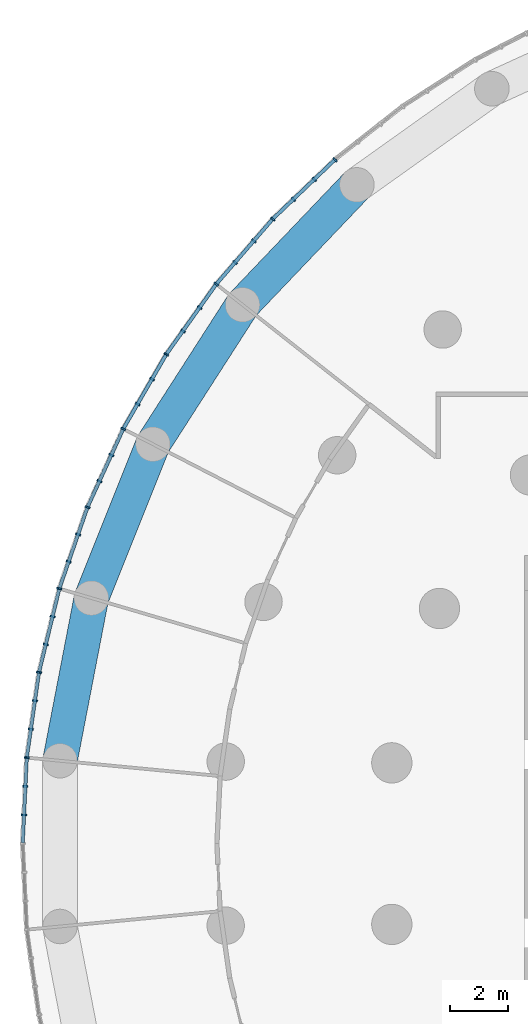
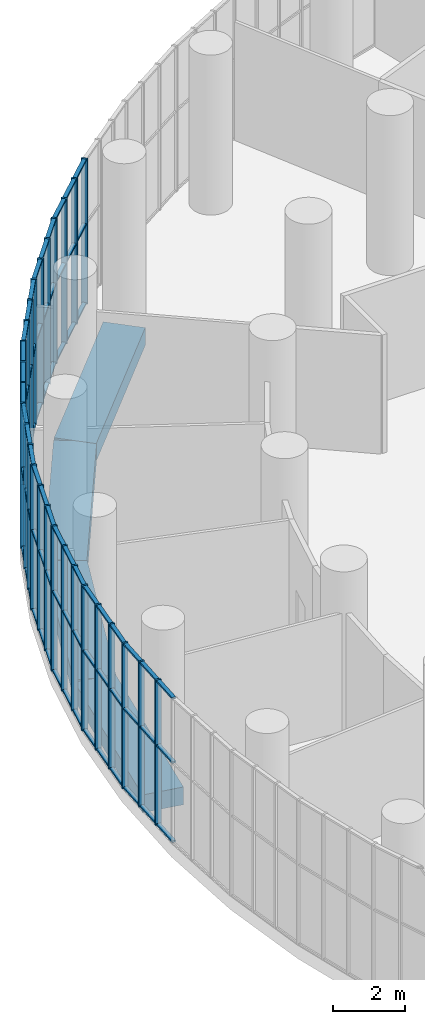
# One storey, part 7 of 27: 54 members, 4 beams, 9 elements without a shape of their own.
"""IFC4 building model written with IfcOpenShell, lengths in metres."""

from ifc_helpers import new_model, si_unit, direction, frame, origin, origin_2d, place, context, subcontext, project, spatial, rectangle, extrude, material, layer, layer_set, material_profile, profile_set, type_object, element, aggregate, save


model = new_model("IFC4")

# Units and contexts
model_context = context("Model", 3, precision=1e-05, world=origin(), true_north=direction((0.0, 1.0)))
body_context = subcontext(model_context, "Body", "Model", "MODEL_VIEW")
ifc_project = project(units=[si_unit("LENGTHUNIT", "METRE"), si_unit("AREAUNIT", "SQUARE_METRE"), si_unit("VOLUMEUNIT", "CUBIC_METRE"), si_unit("PLANEANGLEUNIT", "RADIAN"), si_unit("MASSUNIT", "GRAM", prefix="KILO")], contexts=[model_context])

# Site, building, storey
site_placement = place(None, origin())
site = spatial("IfcSite", under=ifc_project, at=site_placement, CompositionType="ELEMENT")
building_placement = place(site_placement, origin())
building = spatial("IfcBuilding", under=site, at=building_placement, Name="Tracery Tower", CompositionType="ELEMENT")
storey_placement = place(building_placement, frame((0.0, 0.0, 114.60009765625)))
storey = spatial("IfcBuildingStorey", under=building, at=storey_placement, Name="L29", CompositionType="ELEMENT", Elevation=114.60009765625)

# Beams
ifc_material_1 = material(Name="Concrete C60/75", Category="concrete")
ifc_material_profile_1 = material_profile(ifc_material_1, rectangle(XDim=1.199951171875, YDim=0.60009765625, at=origin_2d()), Name="RC 1200x600")
ifc_profile_set_1 = profile_set([ifc_material_profile_1], Name="Concrete C60/75")
beam_type = type_object("IfcBeamType", Name="Perimeter band beam 1200x600", PredefinedType="BEAM", material=ifc_profile_set_1)
beam_1_placement = place(storey_placement, frame((-19.82568359375, 22.8798828125, -0.75), z_axis=(-0.690087218267, -0.723726212863, 0.0), x_axis=(0.723726212863, -0.690087218267, 0.0)))
element("IfcBeam", 1, at=beam_1_placement, inside=storey, type_object=beam_type, Name="Perimeter beam 0.12 under L29", PredefinedType="BEAM", context=body_context, shape_type="SweptSolid", body=[
    extrude(rectangle(XDim=1.199951171875, YDim=0.60009765625, at=origin_2d()), origin(), (0.0, 0.0, 1.0), 5.75537109375),
])
beam_2_placement = place(storey_placement, frame((-23.79736328125, 18.714599609375, -0.75), z_axis=(-0.540643964602, -0.841251510274, 0.0), x_axis=(0.841251510274, -0.540643964602, 0.0)))
element("IfcBeam", 2, at=beam_2_placement, inside=storey, type_object=beam_type, Name="Perimeter beam 0.13 under L29", PredefinedType="BEAM", context=body_context, shape_type="SweptSolid", body=[
    extrude(rectangle(XDim=1.199951171875, YDim=0.60009765625, at=origin_2d()), origin(), (0.0, 0.0, 1.0), 5.755859375),
])
for number, where, z_axis, x_axis, name in (
    (3, (-26.9091796875, 13.87255859375, -0.75), (-0.371668572289, -0.928365484264, 0.0), (0.928365484264, -0.371668572289, 0.0), "Perimeter beam 0.14 under L29"),
    (4, (-29.04833984375, 8.529296875, -0.75), (-0.189226539295, -0.981933458451, 0.0), (0.981933458451, -0.189226539295, 0.0), "Perimeter beam 0.15 under L29"),
):
    element("IfcBeam", number, at=place(storey_placement, frame(where, z_axis=z_axis, x_axis=x_axis)), inside=storey, type_object=beam_type, Name=name, PredefinedType="BEAM", context=body_context, shape_type="SweptSolid", body=[
        extrude(rectangle(XDim=1.199951171875, YDim=0.60009765625, at=origin_2d()), origin(), (0.0, 0.0, 1.0), 5.755615234375),
    ])

# Curtain wall, members
ifc_material_2 = material(Name="Aluminium curtain wall with tinted glass", Category="aluminium")
ifc_layer = layer(ifc_material_2, 0.179931640625)
ifc_layer_set = layer_set([ifc_layer], Name="Sky lounge 1 tracery curtain wall")
curtain_wall_type = type_object("IfcCurtainWallType", Name="Sky lounge 1 tracery curtain wall", PredefinedType="NOTDEFINED", material=ifc_layer_set)
curtain_wall_1_placement = place(storey_placement, origin())
curtain_wall_1 = element("IfcCurtainWall", 5, at=curtain_wall_1_placement, inside=storey, type_object=curtain_wall_type, Name="Sky lounge 1 curtain wall run 25", PredefinedType="NOTDEFINED")
ifc_material_3 = material(Name="Aluminium, bronze anodised", Category="aluminium")
ifc_material_profile_2 = material_profile(ifc_material_3, rectangle(XDim=0.179931640625, YDim=0.06005859375, at=origin_2d()), Name="AL 60x180")
ifc_profile_set_2 = profile_set([ifc_material_profile_2], Name="Aluminium, bronze anodised")
member_type_1 = type_object("IfcMemberType", Name="Sky lounge 1 mullion 60 x 180", PredefinedType="MULLION", material=ifc_profile_set_2)
member_1_placement = place(storey_placement, frame((-20.585205078125, 23.756591796875, 0.0), z_axis=(0.0, 0.0, 1.0), x_axis=(0.690079011478, -0.723734038109, 0.0)))
member_1 = element("IfcMember", 6, at=member_1_placement, type_object=member_type_1, Name="Sky lounge 1 curtain wall run 25 mullion 1", PredefinedType="MULLION", context=body_context, shape_type="SweptSolid", body=[
    extrude(rectangle(XDim=0.179931640625, YDim=0.06005859375, at=origin_2d()), origin(), (0.0, 0.0, 1.0), 4.89990234375),
])
member_2_placement = place(storey_placement, frame((-21.306884765625, 23.068603515625, 0.0), z_axis=(0.0, 0.0, 1.0), x_axis=(0.690079011478, -0.723734038109, 0.0)))
member_2 = element("IfcMember", 7, at=member_2_placement, type_object=member_type_1, Name="Sky lounge 1 curtain wall run 25 mullion 2", PredefinedType="MULLION", context=body_context, shape_type="SweptSolid", body=[
    extrude(rectangle(XDim=0.179931640625, YDim=0.06005859375, at=origin_2d()), origin(), (0.0, 0.0, 1.0), 4.89990234375),
])
member_3_placement = place(storey_placement, frame((-22.028564453125, 22.38037109375, 0.0), z_axis=(0.0, 0.0, 1.0), x_axis=(0.690079011478, -0.723734038109, 0.0)))
member_3 = element("IfcMember", 8, at=member_3_placement, type_object=member_type_1, Name="Sky lounge 1 curtain wall run 25 mullion 3", PredefinedType="MULLION", context=body_context, shape_type="SweptSolid", body=[
    extrude(rectangle(XDim=0.179931640625, YDim=0.06005859375, at=origin_2d()), origin(), (0.0, 0.0, 1.0), 4.89990234375),
])

curtain_wall_2_placement = place(storey_placement, origin())
curtain_wall_2 = element("IfcCurtainWall", 9, at=curtain_wall_2_placement, inside=storey, type_object=curtain_wall_type, Name="Sky lounge 1 curtain wall run 26", PredefinedType="NOTDEFINED")
member_4_placement = place(storey_placement, frame((-22.750244140625, 21.6923828125, 0.0), z_axis=(0.0, 0.0, 1.0), x_axis=(0.755749574355, -0.654860733944, 0.0)))
member_4 = element("IfcMember", 10, at=member_4_placement, type_object=member_type_1, Name="Sky lounge 1 curtain wall run 26 mullion 1", PredefinedType="MULLION", context=body_context, shape_type="SweptSolid", body=[
    extrude(rectangle(XDim=0.179931640625, YDim=0.06005859375, at=origin_2d()), origin(), (0.0, 0.0, 1.0), 4.89990234375),
])
member_5_placement = place(storey_placement, frame((-23.4033203125, 20.938720703125, 0.0), z_axis=(0.0, 0.0, 1.0), x_axis=(0.755749574355, -0.654860733944, 0.0)))
member_5 = element("IfcMember", 11, at=member_5_placement, type_object=member_type_1, Name="Sky lounge 1 curtain wall run 26 mullion 2", PredefinedType="MULLION", context=body_context, shape_type="SweptSolid", body=[
    extrude(rectangle(XDim=0.179931640625, YDim=0.06005859375, at=origin_2d()), origin(), (0.0, 0.0, 1.0), 4.89990234375),
])
member_6_placement = place(storey_placement, frame((-24.05615234375, 20.18505859375, 0.0), z_axis=(0.0, 0.0, 1.0), x_axis=(0.755749574355, -0.654860733944, 0.0)))
member_6 = element("IfcMember", 12, at=member_6_placement, type_object=member_type_1, Name="Sky lounge 1 curtain wall run 26 mullion 3", PredefinedType="MULLION", context=body_context, shape_type="SweptSolid", body=[
    extrude(rectangle(XDim=0.179931640625, YDim=0.06005859375, at=origin_2d()), origin(), (0.0, 0.0, 1.0), 4.89990234375),
])

curtain_wall_3_placement = place(storey_placement, origin())
curtain_wall_3 = element("IfcCurtainWall", 13, at=curtain_wall_3_placement, inside=storey, type_object=curtain_wall_type, Name="Sky lounge 1 curtain wall run 27", PredefinedType="NOTDEFINED")
member_7_placement = place(storey_placement, frame((-24.709228515625, 19.431396484375, 0.0), z_axis=(0.0, 0.0, 1.0), x_axis=(0.814575952046, -0.580056909578, 0.0)))
member_7 = element("IfcMember", 14, at=member_7_placement, type_object=member_type_1, Name="Sky lounge 1 curtain wall run 27 mullion 1", PredefinedType="MULLION", context=body_context, shape_type="SweptSolid", body=[
    extrude(rectangle(XDim=0.179931640625, YDim=0.06005859375, at=origin_2d()), origin(), (0.0, 0.0, 1.0), 4.89990234375),
])
member_8_placement = place(storey_placement, frame((-25.28759765625, 18.619384765625, 0.0), z_axis=(0.0, 0.0, 1.0), x_axis=(0.814575952046, -0.580056909578, 0.0)))
member_8 = element("IfcMember", 15, at=member_8_placement, type_object=member_type_1, Name="Sky lounge 1 curtain wall run 27 mullion 2", PredefinedType="MULLION", context=body_context, shape_type="SweptSolid", body=[
    extrude(rectangle(XDim=0.179931640625, YDim=0.06005859375, at=origin_2d()), origin(), (0.0, 0.0, 1.0), 4.89990234375),
])
member_9_placement = place(storey_placement, frame((-25.865966796875, 17.80712890625, 0.0), z_axis=(0.0, 0.0, 1.0), x_axis=(0.814575952046, -0.580056909578, 0.0)))
member_9 = element("IfcMember", 16, at=member_9_placement, type_object=member_type_1, Name="Sky lounge 1 curtain wall run 27 mullion 3", PredefinedType="MULLION", context=body_context, shape_type="SweptSolid", body=[
    extrude(rectangle(XDim=0.179931640625, YDim=0.06005859375, at=origin_2d()), origin(), (0.0, 0.0, 1.0), 4.89990234375),
])

curtain_wall_4_placement = place(storey_placement, origin())
curtain_wall_4 = element("IfcCurtainWall", 17, at=curtain_wall_4_placement, inside=storey, type_object=curtain_wall_type, Name="Sky lounge 1 curtain wall run 28", PredefinedType="NOTDEFINED")
member_10_placement = place(storey_placement, frame((-26.4443359375, 16.994873046875, 0.0), z_axis=(0.0, 0.0, 1.0), x_axis=(0.866025403784, -0.5, 0.0)))
member_10 = element("IfcMember", 18, at=member_10_placement, type_object=member_type_1, Name="Sky lounge 1 curtain wall run 28 mullion 1", PredefinedType="MULLION", context=body_context, shape_type="SweptSolid", body=[
    extrude(rectangle(XDim=0.179931640625, YDim=0.06005859375, at=origin_2d()), origin(), (0.0, 0.0, 1.0), 4.89990234375),
])
member_11_placement = place(storey_placement, frame((-26.94287109375, 16.131103515625, 0.0), z_axis=(0.0, 0.0, 1.0), x_axis=(0.866025403784, -0.5, 0.0)))
member_11 = element("IfcMember", 19, at=member_11_placement, type_object=member_type_1, Name="Sky lounge 1 curtain wall run 28 mullion 2", PredefinedType="MULLION", context=body_context, shape_type="SweptSolid", body=[
    extrude(rectangle(XDim=0.179931640625, YDim=0.06005859375, at=origin_2d()), origin(), (0.0, 0.0, 1.0), 4.89990234375),
])
member_12_placement = place(storey_placement, frame((-27.44140625, 15.267578125, 0.0), z_axis=(0.0, 0.0, 1.0), x_axis=(0.866025403784, -0.5, 0.0)))
member_12 = element("IfcMember", 20, at=member_12_placement, type_object=member_type_1, Name="Sky lounge 1 curtain wall run 28 mullion 3", PredefinedType="MULLION", context=body_context, shape_type="SweptSolid", body=[
    extrude(rectangle(XDim=0.179931640625, YDim=0.06005859375, at=origin_2d()), origin(), (0.0, 0.0, 1.0), 4.89990234375),
])

curtain_wall_5_placement = place(storey_placement, origin())
curtain_wall_5 = element("IfcCurtainWall", 21, at=curtain_wall_5_placement, inside=storey, type_object=curtain_wall_type, Name="Sky lounge 1 curtain wall run 29", PredefinedType="NOTDEFINED")
member_13_placement = place(storey_placement, frame((-27.940185546875, 14.404052734375, 0.0), z_axis=(0.0, 0.0, 1.0), x_axis=(0.909631995358, -0.415415012995, 0.0)))
member_13 = element("IfcMember", 22, at=member_13_placement, type_object=member_type_1, Name="Sky lounge 1 curtain wall run 29 mullion 1", PredefinedType="MULLION", context=body_context, shape_type="SweptSolid", body=[
    extrude(rectangle(XDim=0.179931640625, YDim=0.06005859375, at=origin_2d()), origin(), (0.0, 0.0, 1.0), 4.89990234375),
])
member_14_placement = place(storey_placement, frame((-28.354248046875, 13.4970703125, 0.0), z_axis=(0.0, 0.0, 1.0), x_axis=(0.909631995358, -0.415415012995, 0.0)))
member_14 = element("IfcMember", 23, at=member_14_placement, type_object=member_type_1, Name="Sky lounge 1 curtain wall run 29 mullion 2", PredefinedType="MULLION", context=body_context, shape_type="SweptSolid", body=[
    extrude(rectangle(XDim=0.179931640625, YDim=0.06005859375, at=origin_2d()), origin(), (0.0, 0.0, 1.0), 4.89990234375),
])
member_15_placement = place(storey_placement, frame((-28.7685546875, 12.590087890625, 0.0), z_axis=(0.0, 0.0, 1.0), x_axis=(0.909631995358, -0.415415012995, 0.0)))
member_15 = element("IfcMember", 24, at=member_15_placement, type_object=member_type_1, Name="Sky lounge 1 curtain wall run 29 mullion 3", PredefinedType="MULLION", context=body_context, shape_type="SweptSolid", body=[
    extrude(rectangle(XDim=0.179931640625, YDim=0.06005859375, at=origin_2d()), origin(), (0.0, 0.0, 1.0), 4.89990234375),
])

curtain_wall_6_placement = place(storey_placement, origin())
curtain_wall_6 = element("IfcCurtainWall", 25, at=curtain_wall_6_placement, inside=storey, type_object=curtain_wall_type, Name="Sky lounge 1 curtain wall run 30", PredefinedType="NOTDEFINED")
member_16_placement = place(storey_placement, frame((-29.182861328125, 11.68310546875, 0.0), z_axis=(0.0, 0.0, 1.0), x_axis=(0.945000818714, -0.327067963319, 0.0)))
member_16 = element("IfcMember", 26, at=member_16_placement, type_object=member_type_1, Name="Sky lounge 1 curtain wall run 30 mullion 1", PredefinedType="MULLION", context=body_context, shape_type="SweptSolid", body=[
    extrude(rectangle(XDim=0.179931640625, YDim=0.06005859375, at=origin_2d()), origin(), (0.0, 0.0, 1.0), 4.89990234375),
])
member_17_placement = place(storey_placement, frame((-29.509033203125, 10.74072265625, 0.0), z_axis=(0.0, 0.0, 1.0), x_axis=(0.945000818714, -0.327067963319, 0.0)))
member_17 = element("IfcMember", 27, at=member_17_placement, type_object=member_type_1, Name="Sky lounge 1 curtain wall run 30 mullion 2", PredefinedType="MULLION", context=body_context, shape_type="SweptSolid", body=[
    extrude(rectangle(XDim=0.179931640625, YDim=0.06005859375, at=origin_2d()), origin(), (0.0, 0.0, 1.0), 4.89990234375),
])
member_18_placement = place(storey_placement, frame((-29.8349609375, 9.79833984375, 0.0), z_axis=(0.0, 0.0, 1.0), x_axis=(0.945000818714, -0.327067963319, 0.0)))
member_18 = element("IfcMember", 28, at=member_18_placement, type_object=member_type_1, Name="Sky lounge 1 curtain wall run 30 mullion 3", PredefinedType="MULLION", context=body_context, shape_type="SweptSolid", body=[
    extrude(rectangle(XDim=0.179931640625, YDim=0.06005859375, at=origin_2d()), origin(), (0.0, 0.0, 1.0), 4.89990234375),
])

curtain_wall_7_placement = place(storey_placement, origin())
curtain_wall_7 = element("IfcCurtainWall", 29, at=curtain_wall_7_placement, inside=storey, type_object=curtain_wall_type, Name="Sky lounge 1 curtain wall run 31", PredefinedType="NOTDEFINED")
member_19_placement = place(storey_placement, frame((-30.1611328125, 8.856201171875, 0.0), z_axis=(0.0, 0.0, 1.0), x_axis=(0.971811568325, -0.235758935503, 0.0)))
member_19 = element("IfcMember", 30, at=member_19_placement, type_object=member_type_1, Name="Sky lounge 1 curtain wall run 31 mullion 1", PredefinedType="MULLION", context=body_context, shape_type="SweptSolid", body=[
    extrude(rectangle(XDim=0.179931640625, YDim=0.06005859375, at=origin_2d()), origin(), (0.0, 0.0, 1.0), 4.89990234375),
])
member_20_placement = place(storey_placement, frame((-30.396240234375, 7.88720703125, 0.0), z_axis=(0.0, 0.0, 1.0), x_axis=(0.971811568325, -0.235758935503, 0.0)))
member_20 = element("IfcMember", 31, at=member_20_placement, type_object=member_type_1, Name="Sky lounge 1 curtain wall run 31 mullion 2", PredefinedType="MULLION", context=body_context, shape_type="SweptSolid", body=[
    extrude(rectangle(XDim=0.179931640625, YDim=0.06005859375, at=origin_2d()), origin(), (0.0, 0.0, 1.0), 4.89990234375),
])
member_21_placement = place(storey_placement, frame((-30.63134765625, 6.91796875, 0.0), z_axis=(0.0, 0.0, 1.0), x_axis=(0.971811568325, -0.235758935503, 0.0)))
member_21 = element("IfcMember", 32, at=member_21_placement, type_object=member_type_1, Name="Sky lounge 1 curtain wall run 31 mullion 3", PredefinedType="MULLION", context=body_context, shape_type="SweptSolid", body=[
    extrude(rectangle(XDim=0.179931640625, YDim=0.06005859375, at=origin_2d()), origin(), (0.0, 0.0, 1.0), 4.89990234375),
])

curtain_wall_8_placement = place(storey_placement, origin())
curtain_wall_8 = element("IfcCurtainWall", 33, at=curtain_wall_8_placement, inside=storey, type_object=curtain_wall_type, Name="Sky lounge 1 curtain wall run 32", PredefinedType="NOTDEFINED")
member_22_placement = place(storey_placement, frame((-30.866455078125, 5.948974609375, 0.0), z_axis=(0.0, 0.0, 1.0), x_axis=(0.98982144188, -0.142314838276, 0.0)))
member_22 = element("IfcMember", 34, at=member_22_placement, type_object=member_type_1, Name="Sky lounge 1 curtain wall run 32 mullion 1", PredefinedType="MULLION", context=body_context, shape_type="SweptSolid", body=[
    extrude(rectangle(XDim=0.179931640625, YDim=0.06005859375, at=origin_2d()), origin(), (0.0, 0.0, 1.0), 4.89990234375),
])
member_23_placement = place(storey_placement, frame((-31.00830078125, 4.9619140625, 0.0), z_axis=(0.0, 0.0, 1.0), x_axis=(0.98982144188, -0.142314838276, 0.0)))
member_23 = element("IfcMember", 35, at=member_23_placement, type_object=member_type_1, Name="Sky lounge 1 curtain wall run 32 mullion 2", PredefinedType="MULLION", context=body_context, shape_type="SweptSolid", body=[
    extrude(rectangle(XDim=0.179931640625, YDim=0.06005859375, at=origin_2d()), origin(), (0.0, 0.0, 1.0), 4.89990234375),
])
member_24_placement = place(storey_placement, frame((-31.150146484375, 3.97509765625, 0.0), z_axis=(0.0, 0.0, 1.0), x_axis=(0.98982144188, -0.142314838276, 0.0)))
member_24 = element("IfcMember", 36, at=member_24_placement, type_object=member_type_1, Name="Sky lounge 1 curtain wall run 32 mullion 3", PredefinedType="MULLION", context=body_context, shape_type="SweptSolid", body=[
    extrude(rectangle(XDim=0.179931640625, YDim=0.06005859375, at=origin_2d()), origin(), (0.0, 0.0, 1.0), 4.89990234375),
])

curtain_wall_9_placement = place(storey_placement, origin())
curtain_wall_9 = element("IfcCurtainWall", 37, at=curtain_wall_9_placement, inside=storey, type_object=curtain_wall_type, Name="Sky lounge 1 curtain wall run 33", PredefinedType="NOTDEFINED")
member_25_placement = place(storey_placement, frame((-31.292236328125, 2.988037109375, 0.0), z_axis=(0.0, 0.0, 1.0), x_axis=(0.998867339183, -0.047581915819, 0.0)))
member_25 = element("IfcMember", 38, at=member_25_placement, type_object=member_type_1, Name="Sky lounge 1 curtain wall run 33 mullion 1", PredefinedType="MULLION", context=body_context, shape_type="SweptSolid", body=[
    extrude(rectangle(XDim=0.179931640625, YDim=0.06005859375, at=origin_2d()), origin(), (0.0, 0.0, 1.0), 4.89990234375),
])
member_26_placement = place(storey_placement, frame((-31.339599609375, 1.991943359375, 0.0), z_axis=(0.0, 0.0, 1.0), x_axis=(0.998867339183, -0.047581915819, 0.0)))
member_26 = element("IfcMember", 39, at=member_26_placement, type_object=member_type_1, Name="Sky lounge 1 curtain wall run 33 mullion 2", PredefinedType="MULLION", context=body_context, shape_type="SweptSolid", body=[
    extrude(rectangle(XDim=0.179931640625, YDim=0.06005859375, at=origin_2d()), origin(), (0.0, 0.0, 1.0), 4.89990234375),
])
member_27_placement = place(storey_placement, frame((-31.386962890625, 0.99609375, 0.0), z_axis=(0.0, 0.0, 1.0), x_axis=(0.998867339183, -0.047581915819, 0.0)))
member_27 = element("IfcMember", 40, at=member_27_placement, type_object=member_type_1, Name="Sky lounge 1 curtain wall run 33 mullion 3", PredefinedType="MULLION", context=body_context, shape_type="SweptSolid", body=[
    extrude(rectangle(XDim=0.179931640625, YDim=0.06005859375, at=origin_2d()), origin(), (0.0, 0.0, 1.0), 4.89990234375),
])

# Member
ifc_material_4 = material(Name="Aluminium, bronze anodised", Category="aluminium")
ifc_material_profile_3 = material_profile(ifc_material_4, rectangle(XDim=0.1201171875, YDim=0.06005859375, at=origin_2d()), Name="AL 60x120")
ifc_profile_set_3 = profile_set([ifc_material_profile_3], Name="Aluminium, bronze anodised")
member_type_2 = type_object("IfcMemberType", Name="Sky lounge 1 transom 60 x 120", PredefinedType="USERDEFINED", material=ifc_profile_set_3)
member_28_placement = place(storey_placement, frame((-20.60693359375, 23.73583984375, 0.02978515625), z_axis=(-0.723729806438, -0.690083449499, 0.0), x_axis=(0.690083449499, -0.723729806438, 0.0)))
member_28 = element("IfcMember", 41, at=member_28_placement, type_object=member_type_2, Name="Sky lounge 1 curtain wall run 25 transom 1", ObjectType="TRANSOM", PredefinedType="USERDEFINED", context=body_context, shape_type="SweptSolid", body=[
    extrude(rectangle(XDim=0.1201171875, YDim=0.06005859375, at=origin_2d()), origin(), (0.0, 0.0, 1.0), 2.931396484375),
])

member_29_placement = place(storey_placement, frame((-20.60693359375, 23.73583984375, 2.699951171875), z_axis=(-0.723729806438, -0.690083449499, 0.0), x_axis=(0.690083449499, -0.723729806438, 0.0)))
member_29 = element("IfcMember", 42, at=member_29_placement, type_object=member_type_2, Name="Sky lounge 1 curtain wall run 25 transom 2", ObjectType="TRANSOM", PredefinedType="USERDEFINED", context=body_context, shape_type="SweptSolid", body=[
    extrude(rectangle(XDim=0.1201171875, YDim=0.06005859375, at=origin_2d()), origin(), (0.0, 0.0, 1.0), 2.931396484375),
])

member_30_placement = place(storey_placement, frame((-20.60693359375, 23.73583984375, 4.869873046875), z_axis=(-0.723729806438, -0.690083449499, 0.0), x_axis=(0.690083449499, -0.723729806438, 0.0)))
member_30 = element("IfcMember", 43, at=member_30_placement, type_object=member_type_2, Name="Sky lounge 1 curtain wall run 25 transom 3", ObjectType="TRANSOM", PredefinedType="USERDEFINED", context=body_context, shape_type="SweptSolid", body=[
    extrude(rectangle(XDim=0.1201171875, YDim=0.06005859375, at=origin_2d()), origin(), (0.0, 0.0, 1.0), 2.931396484375),
])

aggregate(curtain_wall_1, [member_1, member_2, member_3, member_28, member_29, member_30])

member_31_placement = place(storey_placement, frame((-22.769775390625, 21.669677734375, 0.02978515625), z_axis=(-0.654835415785, -0.755771511923, 0.0), x_axis=(0.755771511923, -0.654835415785, 0.0)))
member_31 = element("IfcMember", 44, at=member_31_placement, type_object=member_type_2, Name="Sky lounge 1 curtain wall run 26 transom 1", ObjectType="TRANSOM", PredefinedType="USERDEFINED", context=body_context, shape_type="SweptSolid", body=[
    extrude(rectangle(XDim=0.1201171875, YDim=0.06005859375, at=origin_2d()), origin(), (0.0, 0.0, 1.0), 2.931640625),
])

member_32_placement = place(storey_placement, frame((-22.769775390625, 21.669677734375, 2.699951171875), z_axis=(-0.654835415785, -0.755771511923, 0.0), x_axis=(0.755771511923, -0.654835415785, 0.0)))
member_32 = element("IfcMember", 45, at=member_32_placement, type_object=member_type_2, Name="Sky lounge 1 curtain wall run 26 transom 2", ObjectType="TRANSOM", PredefinedType="USERDEFINED", context=body_context, shape_type="SweptSolid", body=[
    extrude(rectangle(XDim=0.1201171875, YDim=0.06005859375, at=origin_2d()), origin(), (0.0, 0.0, 1.0), 2.931640625),
])

member_33_placement = place(storey_placement, frame((-22.769775390625, 21.669677734375, 4.869873046875), z_axis=(-0.654835415785, -0.755771511923, 0.0), x_axis=(0.755771511923, -0.654835415785, 0.0)))
member_33 = element("IfcMember", 46, at=member_33_placement, type_object=member_type_2, Name="Sky lounge 1 curtain wall run 26 transom 3", ObjectType="TRANSOM", PredefinedType="USERDEFINED", context=body_context, shape_type="SweptSolid", body=[
    extrude(rectangle(XDim=0.1201171875, YDim=0.06005859375, at=origin_2d()), origin(), (0.0, 0.0, 1.0), 2.931640625),
])

aggregate(curtain_wall_2, [member_4, member_5, member_6, member_31, member_32, member_33])

member_34_placement = place(storey_placement, frame((-24.7265625, 19.406982421875, 0.02978515625), z_axis=(-0.58009523592, -0.814548658622, 0.0), x_axis=(0.814548658622, -0.58009523592, 0.0)))
member_34 = element("IfcMember", 47, at=member_34_placement, type_object=member_type_2, Name="Sky lounge 1 curtain wall run 27 transom 1", ObjectType="TRANSOM", PredefinedType="USERDEFINED", context=body_context, shape_type="SweptSolid", body=[
    extrude(rectangle(XDim=0.1201171875, YDim=0.06005859375, at=origin_2d()), origin(), (0.0, 0.0, 1.0), 2.931396484375),
])

member_35_placement = place(storey_placement, frame((-24.7265625, 19.406982421875, 2.699951171875), z_axis=(-0.58009523592, -0.814548658622, 0.0), x_axis=(0.814548658622, -0.58009523592, 0.0)))
member_35 = element("IfcMember", 48, at=member_35_placement, type_object=member_type_2, Name="Sky lounge 1 curtain wall run 27 transom 2", ObjectType="TRANSOM", PredefinedType="USERDEFINED", context=body_context, shape_type="SweptSolid", body=[
    extrude(rectangle(XDim=0.1201171875, YDim=0.06005859375, at=origin_2d()), origin(), (0.0, 0.0, 1.0), 2.931396484375),
])

member_36_placement = place(storey_placement, frame((-24.7265625, 19.406982421875, 4.869873046875), z_axis=(-0.58009523592, -0.814548658622, 0.0), x_axis=(0.814548658622, -0.58009523592, 0.0)))
member_36 = element("IfcMember", 49, at=member_36_placement, type_object=member_type_2, Name="Sky lounge 1 curtain wall run 27 transom 3", ObjectType="TRANSOM", PredefinedType="USERDEFINED", context=body_context, shape_type="SweptSolid", body=[
    extrude(rectangle(XDim=0.1201171875, YDim=0.06005859375, at=origin_2d()), origin(), (0.0, 0.0, 1.0), 2.931396484375),
])

aggregate(curtain_wall_3, [member_7, member_8, member_9, member_34, member_35, member_36])

member_37_placement = place(storey_placement, frame((-26.45947265625, 16.96875, 0.02978515625), z_axis=(-0.499982003349, -0.866035793907, 0.0), x_axis=(0.866035793907, -0.499982003349, 0.0)))
member_37 = element("IfcMember", 50, at=member_37_placement, type_object=member_type_2, Name="Sky lounge 1 curtain wall run 28 transom 1", ObjectType="TRANSOM", PredefinedType="USERDEFINED", context=body_context, shape_type="SweptSolid", body=[
    extrude(rectangle(XDim=0.1201171875, YDim=0.06005859375, at=origin_2d()), origin(), (0.0, 0.0, 1.0), 2.93115234375),
])

member_38_placement = place(storey_placement, frame((-26.45947265625, 16.96875, 2.699951171875), z_axis=(-0.499982003349, -0.866035793907, 0.0), x_axis=(0.866035793907, -0.499982003349, 0.0)))
member_38 = element("IfcMember", 51, at=member_38_placement, type_object=member_type_2, Name="Sky lounge 1 curtain wall run 28 transom 2", ObjectType="TRANSOM", PredefinedType="USERDEFINED", context=body_context, shape_type="SweptSolid", body=[
    extrude(rectangle(XDim=0.1201171875, YDim=0.06005859375, at=origin_2d()), origin(), (0.0, 0.0, 1.0), 2.93115234375),
])

member_39_placement = place(storey_placement, frame((-26.45947265625, 16.96875, 4.869873046875), z_axis=(-0.499982003349, -0.866035793907, 0.0), x_axis=(0.866035793907, -0.499982003349, 0.0)))
member_39 = element("IfcMember", 52, at=member_39_placement, type_object=member_type_2, Name="Sky lounge 1 curtain wall run 28 transom 3", ObjectType="TRANSOM", PredefinedType="USERDEFINED", context=body_context, shape_type="SweptSolid", body=[
    extrude(rectangle(XDim=0.1201171875, YDim=0.06005859375, at=origin_2d()), origin(), (0.0, 0.0, 1.0), 2.93115234375),
])

aggregate(curtain_wall_4, [member_10, member_11, member_12, member_37, member_38, member_39])

member_40_placement = place(storey_placement, frame((-27.95263671875, 14.376953125, 0.02978515625), z_axis=(-0.41538972721, -0.909643542564, 0.0), x_axis=(0.909643542564, -0.41538972721, 0.0)))
member_40 = element("IfcMember", 53, at=member_40_placement, type_object=member_type_2, Name="Sky lounge 1 curtain wall run 29 transom 1", ObjectType="TRANSOM", PredefinedType="USERDEFINED", context=body_context, shape_type="SweptSolid", body=[
    extrude(rectangle(XDim=0.1201171875, YDim=0.06005859375, at=origin_2d()), origin(), (0.0, 0.0, 1.0), 2.931640625),
])

member_41_placement = place(storey_placement, frame((-27.95263671875, 14.376953125, 2.699951171875), z_axis=(-0.41538972721, -0.909643542564, 0.0), x_axis=(0.909643542564, -0.41538972721, 0.0)))
member_41 = element("IfcMember", 54, at=member_41_placement, type_object=member_type_2, Name="Sky lounge 1 curtain wall run 29 transom 2", ObjectType="TRANSOM", PredefinedType="USERDEFINED", context=body_context, shape_type="SweptSolid", body=[
    extrude(rectangle(XDim=0.1201171875, YDim=0.06005859375, at=origin_2d()), origin(), (0.0, 0.0, 1.0), 2.931640625),
])

member_42_placement = place(storey_placement, frame((-27.95263671875, 14.376953125, 4.869873046875), z_axis=(-0.41538972721, -0.909643542564, 0.0), x_axis=(0.909643542564, -0.41538972721, 0.0)))
member_42 = element("IfcMember", 55, at=member_42_placement, type_object=member_type_2, Name="Sky lounge 1 curtain wall run 29 transom 3", ObjectType="TRANSOM", PredefinedType="USERDEFINED", context=body_context, shape_type="SweptSolid", body=[
    extrude(rectangle(XDim=0.1201171875, YDim=0.06005859375, at=origin_2d()), origin(), (0.0, 0.0, 1.0), 2.931640625),
])

aggregate(curtain_wall_5, [member_13, member_14, member_15, member_40, member_41, member_42])

member_43_placement = place(storey_placement, frame((-29.192626953125, 11.65478515625, 0.02978515625), z_axis=(-0.327050494185, -0.945006864659, 0.0), x_axis=(0.945006864659, -0.327050494185, 0.0)))
member_43 = element("IfcMember", 56, at=member_43_placement, type_object=member_type_2, Name="Sky lounge 1 curtain wall run 30 transom 1", ObjectType="TRANSOM", PredefinedType="USERDEFINED", context=body_context, shape_type="SweptSolid", body=[
    extrude(rectangle(XDim=0.1201171875, YDim=0.06005859375, at=origin_2d()), origin(), (0.0, 0.0, 1.0), 2.931396484375),
])

member_44_placement = place(storey_placement, frame((-29.192626953125, 11.65478515625, 2.699951171875), z_axis=(-0.327050494185, -0.945006864659, 0.0), x_axis=(0.945006864659, -0.327050494185, 0.0)))
member_44 = element("IfcMember", 57, at=member_44_placement, type_object=member_type_2, Name="Sky lounge 1 curtain wall run 30 transom 2", ObjectType="TRANSOM", PredefinedType="USERDEFINED", context=body_context, shape_type="SweptSolid", body=[
    extrude(rectangle(XDim=0.1201171875, YDim=0.06005859375, at=origin_2d()), origin(), (0.0, 0.0, 1.0), 2.931396484375),
])

member_45_placement = place(storey_placement, frame((-29.192626953125, 11.65478515625, 4.869873046875), z_axis=(-0.327050494185, -0.945006864659, 0.0), x_axis=(0.945006864659, -0.327050494185, 0.0)))
member_45 = element("IfcMember", 58, at=member_45_placement, type_object=member_type_2, Name="Sky lounge 1 curtain wall run 30 transom 3", ObjectType="TRANSOM", PredefinedType="USERDEFINED", context=body_context, shape_type="SweptSolid", body=[
    extrude(rectangle(XDim=0.1201171875, YDim=0.06005859375, at=origin_2d()), origin(), (0.0, 0.0, 1.0), 2.931396484375),
])

aggregate(curtain_wall_6, [member_16, member_17, member_18, member_43, member_44, member_45])

member_46_placement = place(storey_placement, frame((-30.168212890625, 8.826904296875, 0.02978515625), z_axis=(-0.235788340216, -0.971804434348, 0.0), x_axis=(0.971804434348, -0.235788340216, 0.0)))
member_46 = element("IfcMember", 59, at=member_46_placement, type_object=member_type_2, Name="Sky lounge 1 curtain wall run 31 transom 1", ObjectType="TRANSOM", PredefinedType="USERDEFINED", context=body_context, shape_type="SweptSolid", body=[
    extrude(rectangle(XDim=0.1201171875, YDim=0.06005859375, at=origin_2d()), origin(), (0.0, 0.0, 1.0), 2.931396484375),
])

member_47_placement = place(storey_placement, frame((-30.168212890625, 8.826904296875, 2.699951171875), z_axis=(-0.235788340216, -0.971804434348, 0.0), x_axis=(0.971804434348, -0.235788340216, 0.0)))
member_47 = element("IfcMember", 60, at=member_47_placement, type_object=member_type_2, Name="Sky lounge 1 curtain wall run 31 transom 2", ObjectType="TRANSOM", PredefinedType="USERDEFINED", context=body_context, shape_type="SweptSolid", body=[
    extrude(rectangle(XDim=0.1201171875, YDim=0.06005859375, at=origin_2d()), origin(), (0.0, 0.0, 1.0), 2.931396484375),
])

member_48_placement = place(storey_placement, frame((-30.168212890625, 8.826904296875, 4.869873046875), z_axis=(-0.235788340216, -0.971804434348, 0.0), x_axis=(0.971804434348, -0.235788340216, 0.0)))
member_48 = element("IfcMember", 61, at=member_48_placement, type_object=member_type_2, Name="Sky lounge 1 curtain wall run 31 transom 3", ObjectType="TRANSOM", PredefinedType="USERDEFINED", context=body_context, shape_type="SweptSolid", body=[
    extrude(rectangle(XDim=0.1201171875, YDim=0.06005859375, at=origin_2d()), origin(), (0.0, 0.0, 1.0), 2.931396484375),
])

aggregate(curtain_wall_7, [member_19, member_20, member_21, member_46, member_47, member_48])

member_49_placement = place(storey_placement, frame((-30.87060546875, 5.91943359375, 0.02978515625), z_axis=(-0.142330747561, -0.98981915434, 0.0), x_axis=(0.98981915434, -0.142330747561, 0.0)))
member_49 = element("IfcMember", 62, at=member_49_placement, type_object=member_type_2, Name="Sky lounge 1 curtain wall run 32 transom 1", ObjectType="TRANSOM", PredefinedType="USERDEFINED", context=body_context, shape_type="SweptSolid", body=[
    extrude(rectangle(XDim=0.1201171875, YDim=0.06005859375, at=origin_2d()), origin(), (0.0, 0.0, 1.0), 2.931396484375),
])

member_50_placement = place(storey_placement, frame((-30.87060546875, 5.91943359375, 2.699951171875), z_axis=(-0.142330747561, -0.98981915434, 0.0), x_axis=(0.98981915434, -0.142330747561, 0.0)))
member_50 = element("IfcMember", 63, at=member_50_placement, type_object=member_type_2, Name="Sky lounge 1 curtain wall run 32 transom 2", ObjectType="TRANSOM", PredefinedType="USERDEFINED", context=body_context, shape_type="SweptSolid", body=[
    extrude(rectangle(XDim=0.1201171875, YDim=0.06005859375, at=origin_2d()), origin(), (0.0, 0.0, 1.0), 2.931396484375),
])

member_51_placement = place(storey_placement, frame((-30.87060546875, 5.91943359375, 4.869873046875), z_axis=(-0.142330747561, -0.98981915434, 0.0), x_axis=(0.98981915434, -0.142330747561, 0.0)))
member_51 = element("IfcMember", 64, at=member_51_placement, type_object=member_type_2, Name="Sky lounge 1 curtain wall run 32 transom 3", ObjectType="TRANSOM", PredefinedType="USERDEFINED", context=body_context, shape_type="SweptSolid", body=[
    extrude(rectangle(XDim=0.1201171875, YDim=0.06005859375, at=origin_2d()), origin(), (0.0, 0.0, 1.0), 2.931396484375),
])

aggregate(curtain_wall_8, [member_22, member_23, member_24, member_49, member_50, member_51])

member_52_placement = place(storey_placement, frame((-31.293701171875, 2.9580078125, 0.02978515625), z_axis=(-0.047557235205, -0.99886851456, 0.0), x_axis=(0.99886851456, -0.047557235205, 0.0)))
member_52 = element("IfcMember", 65, at=member_52_placement, type_object=member_type_2, Name="Sky lounge 1 curtain wall run 33 transom 1", ObjectType="TRANSOM", PredefinedType="USERDEFINED", context=body_context, shape_type="SweptSolid", body=[
    extrude(rectangle(XDim=0.1201171875, YDim=0.06005859375, at=origin_2d()), origin(), (0.0, 0.0, 1.0), 2.931396484375),
])

member_53_placement = place(storey_placement, frame((-31.293701171875, 2.9580078125, 2.699951171875), z_axis=(-0.047557235205, -0.99886851456, 0.0), x_axis=(0.99886851456, -0.047557235205, 0.0)))
member_53 = element("IfcMember", 66, at=member_53_placement, type_object=member_type_2, Name="Sky lounge 1 curtain wall run 33 transom 2", ObjectType="TRANSOM", PredefinedType="USERDEFINED", context=body_context, shape_type="SweptSolid", body=[
    extrude(rectangle(XDim=0.1201171875, YDim=0.06005859375, at=origin_2d()), origin(), (0.0, 0.0, 1.0), 2.931396484375),
])

member_54_placement = place(storey_placement, frame((-31.293701171875, 2.9580078125, 4.869873046875), z_axis=(-0.047557235205, -0.99886851456, 0.0), x_axis=(0.99886851456, -0.047557235205, 0.0)))
member_54 = element("IfcMember", 67, at=member_54_placement, type_object=member_type_2, Name="Sky lounge 1 curtain wall run 33 transom 3", ObjectType="TRANSOM", PredefinedType="USERDEFINED", context=body_context, shape_type="SweptSolid", body=[
    extrude(rectangle(XDim=0.1201171875, YDim=0.06005859375, at=origin_2d()), origin(), (0.0, 0.0, 1.0), 2.931396484375),
])

aggregate(curtain_wall_9, [member_25, member_26, member_27, member_52, member_53, member_54])

save(model, "model.ifc")
